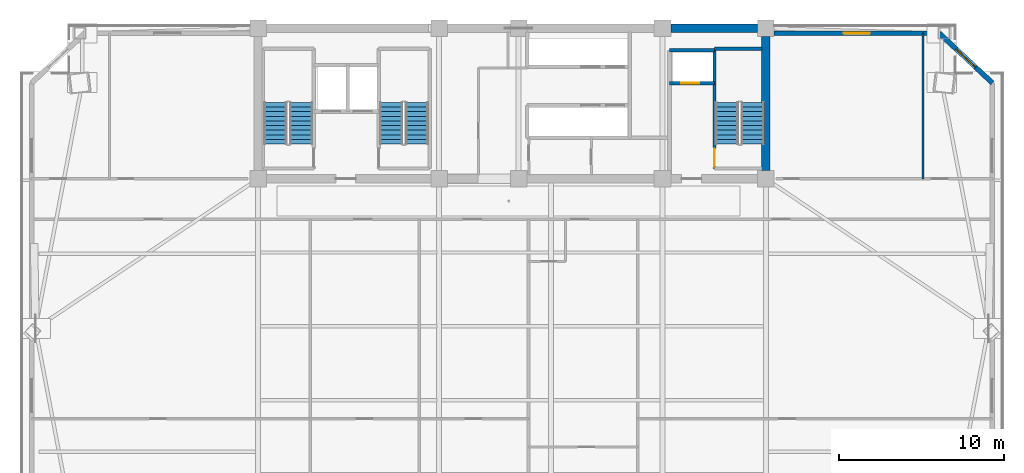
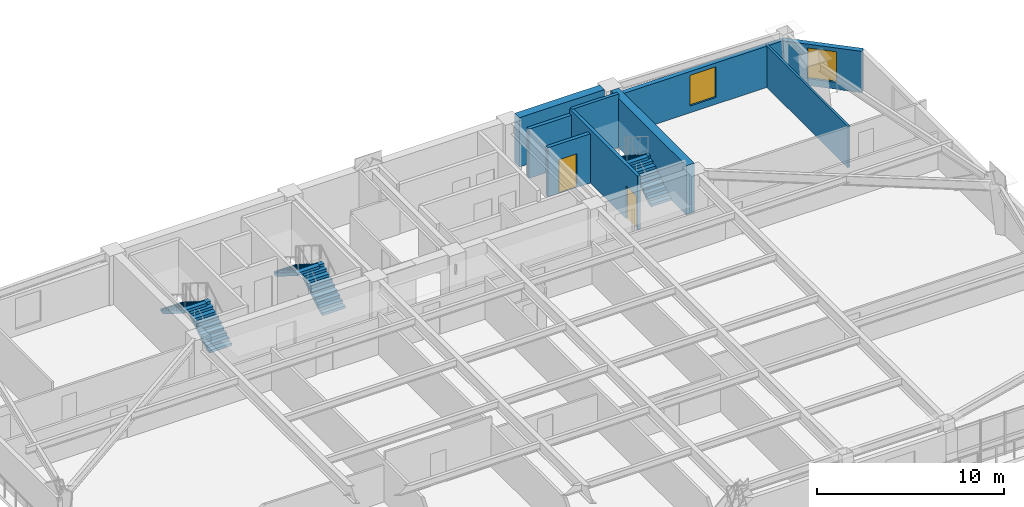
# One storey, part 10 of 15: 9 walls, 6 stair flights, 2 doors, 2 windows, 4 openings, 3 elements without a shape of their own.
"""IFC4 building model written with IfcOpenShell, lengths in metres."""

from ifc_helpers import new_model, si_unit, direction, frame, frame_2d, origin, place, context, subcontext, project, spatial, polyline, rectangle, outline, extrude, source, transform, mapped, material, layer, layer_set, type_object, element, fill, aggregate, save


model = new_model("IFC4")

# Units and contexts
model_context = context("Model", 3, precision=1e-05, world=origin(), true_north=direction((0.0, 1.0)))
body_context = subcontext(model_context, "Body", "Model", "MODEL_VIEW")
ifc_project = project(units=[si_unit("LENGTHUNIT", "METRE"), si_unit("AREAUNIT", "SQUARE_METRE"), si_unit("VOLUMEUNIT", "CUBIC_METRE"), si_unit("PLANEANGLEUNIT", "RADIAN"), si_unit("MASSUNIT", "GRAM", prefix="KILO")], contexts=[model_context])

# Site, building, storey
site_placement = place(None, origin())
site = spatial("IfcSite", under=ifc_project, at=site_placement, CompositionType="ELEMENT")
building_placement = place(site_placement, origin())
building = spatial("IfcBuilding", under=site, at=building_placement, Name="Giltprow Tower", CompositionType="ELEMENT")
storey_placement = place(building_placement, frame((0.0, 0.0, 187.699951171875)))
storey = spatial("IfcBuildingStorey", under=building, at=storey_placement, Name="L47", CompositionType="ELEMENT", Elevation=187.699951171875)

# Wall, opening, window
ifc_material_1 = material(Name="Precast concrete C40", Category="concrete")
ifc_layer_1 = layer(ifc_material_1, 0.300048828125, Name="Precast concrete C40")
ifc_layer_set_1 = layer_set([ifc_layer_1], Name="Precast concrete C40")
wall_type_1 = type_object("IfcWallType", Name="EW-NOTCH-CHAMFER-300", PredefinedType="SOLIDWALL", material=ifc_layer_set_1)
wall_1_placement = place(storey_placement, frame((64.2470703125, 43.239013671875, 0.0), z_axis=(0.0, 0.0, 1.0), x_axis=(-0.729480126226, 0.684002006899, 0.0)))
wall_1 = element("IfcWall", 1, at=wall_1_placement, inside=storey, type_object=wall_type_1, Name="L47 Corner Notch Wall NE", PredefinedType="SOLIDWALL", context=body_context, shape_type="SweptSolid", body=[
    extrude(rectangle(XDim=4.402099609375, YDim=0.300048828125, at=frame_2d((2.201171875, 0.0))), origin(), (0.0, 0.0, 1.0), 2.699951171875),
])
opening_1_placement = place(wall_1_placement, frame((1.40087890625, 0.0, 0.449951171875)))
opening_1 = element("IfcOpeningElement", 2, at=opening_1_placement, cuts=wall_1, Name="Opening WN17", PredefinedType="OPENING", context=body_context, shape_type="SweptSolid", body=[
    extrude(rectangle(XDim=1.60009765625, YDim=2.0, at=frame_2d((0.800048828125, 1.0))), frame((0.0, 0.159912109375, 0.0), z_axis=(0.0, -1.0, 0.0), x_axis=(1.0, 0.0, 0.0)), (0.0, 0.0, 1.0), 0.320068359375),
])
ifc_material_2 = material(Name="Insulated glass", Category="glass")
window_type = type_object("IfcWindowType", Name="WN-COR-1600x2000", PartitioningType="SINGLE_PANEL", PredefinedType="WINDOW", material=ifc_material_2)
shared_shape_1 = source(origin(), body_context, "Body", "SweptSolid", [
    extrude(rectangle(XDim=1.60009765625, YDim=2.0, at=frame_2d((0.800048828125, 1.0))), frame((0.0, 0.030029296875, 0.0), z_axis=(0.0, -1.0, 0.0), x_axis=(1.0, 0.0, 0.0)), (0.0, 0.0, 1.0), 0.06005859375),
])
window_1_placement = place(opening_1_placement, origin())
window_1 = element("IfcWindow", 3, at=window_1_placement, inside=storey, type_object=window_type, Name="L47 Corner Notch Window NE", OverallHeight=2.0, OverallWidth=1.60009765625, PartitioningType="SINGLE_PANEL", PredefinedType="WINDOW", context=body_context, shape_type="MappedRepresentation", body=[
    mapped(shared_shape_1, transform((0.0, 0.0, 0.0), x_axis=(1.0, 0.0, 0.0), y_axis=(0.0, 1.0, 0.0), z_axis=(0.0, 0.0, 1.0), scale=1.0)),
])
fill(opening_1, window_1)

ifc_layer_2 = layer(ifc_material_1, 0.280029296875, Name="Precast concrete C40")
ifc_layer_set_2 = layer_set([ifc_layer_2], Name="Precast concrete C40")
wall_type_2 = type_object("IfcWallType", Name="EW-TOW-BRONZE-280", PredefinedType="SOLIDWALL", material=ifc_layer_set_2)
wall_2_placement = place(storey_placement, frame((51.050048828125, 46.25, 0.0), z_axis=(0.0, 0.0, 1.0), x_axis=(1.0, 0.0, 0.0)))
wall_2 = element("IfcWall", 4, at=wall_2_placement, inside=storey, type_object=wall_type_2, Name="L47 North-East Wing Wall", PredefinedType="SOLIDWALL", context=body_context, shape_type="SweptSolid", body=[
    extrude(rectangle(XDim=9.98583984375, YDim=0.280029296875, at=frame_2d((4.992919921875, 0.0))), origin(), (0.0, 0.0, 1.0), 2.699951171875),
])
opening_2_placement = place(wall_2_placement, frame((4.193115234375, 0.0, 0.449951171875)))
opening_2 = element("IfcOpeningElement", 5, at=opening_2_placement, cuts=wall_2, Name="Opening WN17", PredefinedType="OPENING", context=body_context, shape_type="SweptSolid", body=[
    extrude(rectangle(XDim=1.60009765625, YDim=2.0, at=frame_2d((0.800048828125, 1.0))), frame((0.0, 0.14990234375, 0.0), z_axis=(0.0, -1.0, 0.0), x_axis=(1.0, 0.0, 0.0)), (0.0, 0.0, 1.0), 0.300048828125),
])
window_2_placement = place(opening_2_placement, origin())
window_2 = element("IfcWindow", 6, at=window_2_placement, inside=storey, type_object=window_type, Name="L47 North-East Window", OverallHeight=2.0, OverallWidth=1.60009765625, PartitioningType="SINGLE_PANEL", PredefinedType="WINDOW", context=body_context, shape_type="MappedRepresentation", body=[
    mapped(shared_shape_1, transform((0.0, 0.0, 0.0), x_axis=(1.0, 0.0, 0.0), y_axis=(0.0, 1.0, 0.0), z_axis=(0.0, 0.0, 1.0), scale=1.0)),
])
fill(opening_2, window_2)

# Wall, opening, door
ifc_material_3 = material(Name="Concrete C40", Category="concrete")
ifc_layer_3 = layer(ifc_material_3, 0.219970703125, Name="Concrete C40")
ifc_layer_set_3 = layer_set([ifc_layer_3], Name="Concrete C40")
wall_type_3 = type_object("IfcWallType", Name="IW-SHAFT-220", PredefinedType="SOLIDWALL", material=ifc_layer_set_3)
wall_3_placement = place(storey_placement, frame((44.719970703125, 43.219970703125, 0.0), z_axis=(0.0, 0.0, 1.0), x_axis=(1.0, 0.0, 0.0)))
wall_3 = element("IfcWall", 7, at=wall_3_placement, inside=storey, type_object=wall_type_3, Name="L47 FFL2 Front Shaft Wall", PredefinedType="SOLIDWALL", context=body_context, shape_type="SweptSolid", body=[
    extrude(rectangle(XDim=2.719970703125, YDim=0.219970703125, at=frame_2d((1.35986328125, 0.0))), origin(), (0.0, 0.0, 1.0), 3.219970703125),
])
opening_3_placement = place(wall_3_placement, frame((0.699951171875, 0.0, 0.0)))
opening_3 = element("IfcOpeningElement", 8, at=opening_3_placement, cuts=wall_3, Name="Opening LD-11", PredefinedType="OPENING", context=body_context, shape_type="SweptSolid", body=[
    extrude(rectangle(XDim=1.10009765625, YDim=2.199951171875, at=frame_2d((0.550048828125, 1.10009765625))), frame((0.0, 0.119873046875, 0.0), z_axis=(0.0, -1.0, 0.0), x_axis=(1.0, 0.0, 0.0)), (0.0, 0.0, 1.0), 0.239990234375),
])
ifc_material_4 = material(Name="Stainless steel", Category="steel")
door_type_1 = type_object("IfcDoorType", Name="DR-LIFT-LD1100", OperationType="SLIDING_TO_LEFT", PredefinedType="DOOR", material=ifc_material_4)
shared_shape_2 = source(origin(), body_context, "Body", "SweptSolid", [
    extrude(rectangle(XDim=1.10009765625, YDim=2.199951171875, at=frame_2d((0.550048828125, 1.10009765625))), frame((0.0, 0.02490234375, 0.0), z_axis=(0.0, -1.0, 0.0), x_axis=(1.0, 0.0, 0.0)), (0.0, 0.0, 1.0), 0.050048828125),
])
door_1_placement = place(opening_3_placement, origin())
door_1 = element("IfcDoor", 9, at=door_1_placement, inside=storey, type_object=door_type_1, Name="L47 FFL2 Landing Door", OperationType="SLIDING_TO_LEFT", OverallHeight=2.199951171875, OverallWidth=1.10009765625, PredefinedType="DOOR", context=body_context, shape_type="MappedRepresentation", body=[
    mapped(shared_shape_2, transform((0.0, 0.0, 0.0), x_axis=(1.0, 0.0, 0.0), y_axis=(0.0, 1.0, 0.0), z_axis=(0.0, 0.0, 1.0), scale=1.0)),
])
fill(opening_3, door_1)

# Wall
wall_4_placement = place(storey_placement, frame((44.719970703125, 45.219970703125, 0.0), z_axis=(0.0, 0.0, 1.0), x_axis=(1.0, 0.0, 0.0)))
element("IfcWall", 10, at=wall_4_placement, inside=storey, type_object=wall_type_3, Name="L47 FFL2 Back Shaft Wall", PredefinedType="SOLIDWALL", context=body_context, shape_type="SweptSolid", body=[
    extrude(rectangle(XDim=2.719970703125, YDim=0.219970703125, at=frame_2d((1.35986328125, 0.0))), origin(), (0.0, 0.0, 1.0), 3.219970703125),
])

# Wall, opening, door
ifc_layer_4 = layer(ifc_material_3, 0.199951171875, Name="Concrete C40")
ifc_layer_set_4 = layer_set([ifc_layer_4], Name="Concrete C40")
wall_type_4 = type_object("IfcWallType", Name="IW-STAIR-200", PredefinedType="SOLIDWALL", material=ifc_layer_set_4)
wall_5_placement = place(storey_placement, frame((47.43994140625, 38.070068359375, 0.0), z_axis=(0.0, 0.0, 1.0), x_axis=(0.0, 1.0, 0.0)))
wall_5 = element("IfcWall", 11, at=wall_5_placement, inside=storey, type_object=wall_type_4, Name="L47 Stair ST-3 West Bearing Wall", PredefinedType="SOLIDWALL", context=body_context, shape_type="SweptSolid", body=[
    extrude(rectangle(XDim=7.25, YDim=0.199951171875, at=frame_2d((3.625, 0.0))), origin(), (0.0, 0.0, 1.0), 3.5),
])
opening_4_placement = place(wall_5_placement, frame((0.110107421875, 0.0, 0.0)))
opening_4 = element("IfcOpeningElement", 12, at=opening_4_placement, cuts=wall_5, Name="Opening ID33", PredefinedType="OPENING", context=body_context, shape_type="SweptSolid", body=[
    extrude(rectangle(XDim=1.10009765625, YDim=2.14990234375, at=frame_2d((0.550048828125, 1.074951171875))), frame((0.0, 0.10986328125, 0.0), z_axis=(0.0, -1.0, 0.0), x_axis=(1.0, 0.0, 0.0)), (0.0, 0.0, 1.0), 0.219970703125),
])
ifc_material_5 = material(Name="Steel fire leaf", Category="steel")
door_type_2 = type_object("IfcDoorType", Name="DR-STAIR-1100", OperationType="SINGLE_SWING_LEFT", PredefinedType="DOOR", material=ifc_material_5)
shared_shape_3 = source(origin(), body_context, "Body", "SweptSolid", [
    extrude(rectangle(XDim=1.10009765625, YDim=2.14990234375, at=frame_2d((0.550048828125, 1.074951171875))), frame((0.0, 0.02490234375, 0.0), z_axis=(0.0, -1.0, 0.0), x_axis=(1.0, 0.0, 0.0)), (0.0, 0.0, 1.0), 0.050048828125),
])
door_2_placement = place(opening_4_placement, origin())
door_2 = element("IfcDoor", 13, at=door_2_placement, inside=storey, type_object=door_type_2, Name="L47 Stair ST-3 Fire Door", OperationType="SINGLE_SWING_RIGHT", OverallHeight=2.14990234375, OverallWidth=1.10009765625, PredefinedType="DOOR", context=body_context, shape_type="MappedRepresentation", body=[
    mapped(shared_shape_3, transform((0.0, 0.0, 0.0), x_axis=(1.0, 0.0, 0.0), y_axis=(0.0, 1.0, 0.0), z_axis=(0.0, 0.0, 1.0), scale=1.0)),
])
fill(opening_4, door_2)

# Walls
wall_6_placement = place(storey_placement, frame((47.43994140625, 45.320068359375, 0.0), z_axis=(0.0, 0.0, 1.0), x_axis=(1.0, 0.0, 0.0)))
element("IfcWall", 14, at=wall_6_placement, inside=storey, type_object=wall_type_4, Name="L47 Stair ST-3 North Bearing Wall", PredefinedType="SOLIDWALL", context=body_context, shape_type="SweptSolid", body=[
    extrude(rectangle(XDim=2.880126953125, YDim=0.199951171875, at=frame_2d((1.43994140625, 0.0))), origin(), (0.0, 0.0, 1.0), 3.5),
])
ifc_material_6 = material(Name="Concrete C30", Category="concrete")
ifc_layer_5 = layer(ifc_material_6, 0.1298828125, Name="Concrete C30")
ifc_layer_set_5 = layer_set([ifc_layer_5], Name="Concrete C30")
wall_type_5 = type_object("IfcWallType", Name="IW-WET-130", PredefinedType="PARTITIONING", material=ifc_layer_set_5)
wall_7_placement = place(storey_placement, frame((60.04296875, 37.449951171875, 0.0), z_axis=(0.0, 0.0, 1.0), x_axis=(0.0, 1.0, 0.0)))
element("IfcWall", 15, at=wall_7_placement, inside=storey, type_object=wall_type_5, Name="L47 NE Wing Divider", PredefinedType="PARTITIONING", context=body_context, shape_type="SweptSolid", body=[
    extrude(rectangle(XDim=8.800048828125, YDim=0.1298828125, at=frame_2d((4.39990234375, 0.0))), origin(), (0.0, 0.0, 1.0), 2.705078125),
])
ifc_material_7 = material(Name="Concrete C50", Category="concrete")
ifc_layer_6 = layer(ifc_material_7, 0.5, Name="Concrete C50")
ifc_layer_set_6 = layer_set([ifc_layer_6], Name="Concrete C50")
wall_type_6 = type_object("IfcWallType", Name="SW-EXT-500-C50", PredefinedType="SHEAR", material=ifc_layer_set_6)
wall_8_placement = place(storey_placement, frame((44.800048828125, 46.550048828125, 0.0), z_axis=(0.0, 0.0, 1.0), x_axis=(1.0, 0.0, 0.0)))
element("IfcWall", 16, at=wall_8_placement, inside=storey, type_object=wall_type_6, Name="L47 North Rear Core Shear Wall 4", PredefinedType="SHEAR", context=body_context, shape_type="SweptSolid", body=[
    extrude(rectangle(XDim=5.25, YDim=0.5, at=frame_2d((2.625, 0.0))), origin(), (0.0, 0.0, 1.0), 3.219970703125),
])
ifc_layer_7 = layer(ifc_material_7, 0.5, Name="Concrete C50")
ifc_layer_set_7 = layer_set([ifc_layer_7], Name="Concrete C50")
wall_type_7 = type_object("IfcWallType", Name="SW-INT-500-C50", PredefinedType="SHEAR", material=ifc_layer_set_7)
wall_9_placement = place(storey_placement, frame((50.550048828125, 37.949951171875, 0.0), z_axis=(0.0, 0.0, 1.0), x_axis=(0.0, 1.0, 0.0)))
element("IfcWall", 17, at=wall_9_placement, inside=storey, type_object=wall_type_7, Name="L47 E Rear Core Shear Wall", PredefinedType="SHEAR", context=body_context, shape_type="SweptSolid", body=[
    extrude(rectangle(XDim=8.10009765625, YDim=0.5, at=frame_2d((4.050048828125, 0.0))), origin(), (0.0, 0.0, 1.0), 3.219970703125),
])

# Stair, stair flights
stair_type_1 = type_object("IfcStairType", Name="STR-ST-1", PredefinedType="HALF_TURN_STAIR", material=ifc_material_3)
stair_1_placement = place(storey_placement, origin())
stair_1 = element("IfcStair", 18, at=stair_1_placement, inside=storey, type_object=stair_type_1, Name="L47 Core Exit Stair ST-1", PredefinedType="HALF_TURN_STAIR")
stair_flight_type_1 = type_object("IfcStairFlightType", Name="SFL-ST-1", PredefinedType="STRAIGHT", material=ifc_material_3)
stair_flight_1_placement = place(storey_placement, frame((22.4599609375, 39.550048828125, 0.0), z_axis=(0.0, 0.0, 1.0), x_axis=(0.0, 1.0, 0.0)))
stair_flight_1 = element("IfcStairFlight", 19, at=stair_flight_1_placement, type_object=stair_flight_type_1, Name="ST-1 flight 1", NumberOfRisers=10, NumberOfTreads=9, PredefinedType="STRAIGHT", RiserHeight=0.175, TreadLength=0.28, context=body_context, shape_type="SweptSolid", body=[
    extrude(outline(polyline([(0.0, 0.0), (0.0, 0.175048828125), (0.280029296875, 0.175048828125), (0.280029296875, 0.35009765625), (0.56005859375, 0.35009765625), (0.56005859375, 0.52490234375), (0.840087890625, 0.52490234375), (0.840087890625, 0.699951171875), (1.1201171875, 0.699951171875), (1.1201171875, 0.875), (1.39990234375, 0.875), (1.39990234375, 1.050048828125), (1.679931640625, 1.050048828125), (1.679931640625, 1.22509765625), (1.9599609375, 1.22509765625), (1.9599609375, 1.39990234375), (2.239990234375, 1.39990234375), (2.239990234375, 1.574951171875), (2.52001953125, 1.574951171875), (2.52001953125, 1.75), (2.52001953125, 1.398193359375), (0.28271484375, 0.0), (0.0, 0.0)])), frame((0.0, 0.699951171875, 0.0), z_axis=(0.0, -1.0, 0.0), x_axis=(1.0, 0.0, 0.0)), (0.0, 0.0, 1.0), 1.39990234375),
])
stair_flight_2_placement = place(storey_placement, frame((20.89990234375, 42.070068359375, 1.75), z_axis=(0.0, 0.0, 1.0), x_axis=(0.0, -1.0, 0.0)))
stair_flight_2 = element("IfcStairFlight", 20, at=stair_flight_2_placement, type_object=stair_flight_type_1, Name="ST-1 flight 2", NumberOfRisers=10, NumberOfTreads=9, PredefinedType="STRAIGHT", RiserHeight=0.175, TreadLength=0.28, context=body_context, shape_type="SweptSolid", body=[
    extrude(outline(polyline([(0.0, 0.0), (0.0, 0.175048828125), (0.280029296875, 0.175048828125), (0.280029296875, 0.35009765625), (0.56005859375, 0.35009765625), (0.56005859375, 0.52490234375), (0.840087890625, 0.52490234375), (0.840087890625, 0.699951171875), (1.1201171875, 0.699951171875), (1.1201171875, 0.875), (1.39990234375, 0.875), (1.39990234375, 1.050048828125), (1.679931640625, 1.050048828125), (1.679931640625, 1.22509765625), (1.9599609375, 1.22509765625), (1.9599609375, 1.39990234375), (2.239990234375, 1.39990234375), (2.239990234375, 1.574951171875), (2.52001953125, 1.574951171875), (2.52001953125, 1.75), (2.52001953125, 1.398193359375), (0.28271484375, 0.0), (0.0, 0.0)])), frame((0.0, 0.699951171875, 0.0), z_axis=(0.0, -1.0, 0.0), x_axis=(1.0, 0.0, 0.0)), (0.0, 0.0, 1.0), 1.39990234375),
])
aggregate(stair_1, [stair_flight_1, stair_flight_2])

stair_type_2 = type_object("IfcStairType", Name="STR-ST-2", PredefinedType="HALF_TURN_STAIR", material=ifc_material_3)
stair_2_placement = place(storey_placement, origin())
stair_2 = element("IfcStair", 21, at=stair_2_placement, inside=storey, type_object=stair_type_2, Name="L47 Core Exit Stair ST-2", PredefinedType="HALF_TURN_STAIR")
stair_flight_type_2 = type_object("IfcStairFlightType", Name="SFL-ST-2", PredefinedType="STRAIGHT", material=ifc_material_3)
stair_flight_3_placement = place(storey_placement, frame((29.4599609375, 39.550048828125, 0.0), z_axis=(0.0, 0.0, 1.0), x_axis=(0.0, 1.0, 0.0)))
stair_flight_3 = element("IfcStairFlight", 22, at=stair_flight_3_placement, type_object=stair_flight_type_2, Name="ST-2 flight 1", NumberOfRisers=10, NumberOfTreads=9, PredefinedType="STRAIGHT", RiserHeight=0.175, TreadLength=0.28, context=body_context, shape_type="SweptSolid", body=[
    extrude(outline(polyline([(0.0, 0.0), (0.0, 0.175048828125), (0.280029296875, 0.175048828125), (0.280029296875, 0.35009765625), (0.56005859375, 0.35009765625), (0.56005859375, 0.52490234375), (0.840087890625, 0.52490234375), (0.840087890625, 0.699951171875), (1.1201171875, 0.699951171875), (1.1201171875, 0.875), (1.39990234375, 0.875), (1.39990234375, 1.050048828125), (1.679931640625, 1.050048828125), (1.679931640625, 1.22509765625), (1.9599609375, 1.22509765625), (1.9599609375, 1.39990234375), (2.239990234375, 1.39990234375), (2.239990234375, 1.574951171875), (2.52001953125, 1.574951171875), (2.52001953125, 1.75), (2.52001953125, 1.398193359375), (0.28271484375, 0.0), (0.0, 0.0)])), frame((0.0, 0.699951171875, 0.0), z_axis=(0.0, -1.0, 0.0), x_axis=(1.0, 0.0, 0.0)), (0.0, 0.0, 1.0), 1.39990234375),
])
stair_flight_4_placement = place(storey_placement, frame((27.89990234375, 42.070068359375, 1.75), z_axis=(0.0, 0.0, 1.0), x_axis=(0.0, -1.0, 0.0)))
stair_flight_4 = element("IfcStairFlight", 23, at=stair_flight_4_placement, type_object=stair_flight_type_2, Name="ST-2 flight 2", NumberOfRisers=10, NumberOfTreads=9, PredefinedType="STRAIGHT", RiserHeight=0.175, TreadLength=0.28, context=body_context, shape_type="SweptSolid", body=[
    extrude(outline(polyline([(0.0, 0.0), (0.0, 0.175048828125), (0.280029296875, 0.175048828125), (0.280029296875, 0.35009765625), (0.56005859375, 0.35009765625), (0.56005859375, 0.52490234375), (0.840087890625, 0.52490234375), (0.840087890625, 0.699951171875), (1.1201171875, 0.699951171875), (1.1201171875, 0.875), (1.39990234375, 0.875), (1.39990234375, 1.050048828125), (1.679931640625, 1.050048828125), (1.679931640625, 1.22509765625), (1.9599609375, 1.22509765625), (1.9599609375, 1.39990234375), (2.239990234375, 1.39990234375), (2.239990234375, 1.574951171875), (2.52001953125, 1.574951171875), (2.52001953125, 1.75), (2.52001953125, 1.398193359375), (0.28271484375, 0.0), (0.0, 0.0)])), frame((0.0, 0.699951171875, 0.0), z_axis=(0.0, -1.0, 0.0), x_axis=(1.0, 0.0, 0.0)), (0.0, 0.0, 1.0), 1.39990234375),
])
aggregate(stair_2, [stair_flight_3, stair_flight_4])

stair_type_3 = type_object("IfcStairType", Name="STR-ST-3", PredefinedType="HALF_TURN_STAIR", material=ifc_material_3)
stair_3_placement = place(storey_placement, origin())
stair_3 = element("IfcStair", 24, at=stair_3_placement, inside=storey, type_object=stair_type_3, Name="L47 Core Exit Stair ST-3", PredefinedType="HALF_TURN_STAIR")
stair_flight_type_3 = type_object("IfcStairFlightType", Name="SFL-ST-3", PredefinedType="STRAIGHT", material=ifc_material_3)
stair_flight_5_placement = place(storey_placement, frame((49.760009765625, 39.550048828125, 0.0), z_axis=(0.0, 0.0, 1.0), x_axis=(0.0, 1.0, 0.0)))
stair_flight_5 = element("IfcStairFlight", 25, at=stair_flight_5_placement, type_object=stair_flight_type_3, Name="ST-3 flight 1", NumberOfRisers=10, NumberOfTreads=9, PredefinedType="STRAIGHT", RiserHeight=0.175, TreadLength=0.28, context=body_context, shape_type="SweptSolid", body=[
    extrude(outline(polyline([(0.0, 0.0), (0.0, 0.175048828125), (0.280029296875, 0.175048828125), (0.280029296875, 0.35009765625), (0.56005859375, 0.35009765625), (0.56005859375, 0.52490234375), (0.840087890625, 0.52490234375), (0.840087890625, 0.699951171875), (1.1201171875, 0.699951171875), (1.1201171875, 0.875), (1.39990234375, 0.875), (1.39990234375, 1.050048828125), (1.679931640625, 1.050048828125), (1.679931640625, 1.22509765625), (1.9599609375, 1.22509765625), (1.9599609375, 1.39990234375), (2.239990234375, 1.39990234375), (2.239990234375, 1.574951171875), (2.52001953125, 1.574951171875), (2.52001953125, 1.75), (2.52001953125, 1.398193359375), (0.28271484375, 0.0), (0.0, 0.0)])), frame((0.0, 0.699951171875, 0.0), z_axis=(0.0, -1.0, 0.0), x_axis=(1.0, 0.0, 0.0)), (0.0, 0.0, 1.0), 1.39990234375),
])
stair_flight_6_placement = place(storey_placement, frame((48.199951171875, 42.070068359375, 1.75), z_axis=(0.0, 0.0, 1.0), x_axis=(0.0, -1.0, 0.0)))
stair_flight_6 = element("IfcStairFlight", 26, at=stair_flight_6_placement, type_object=stair_flight_type_3, Name="ST-3 flight 2", NumberOfRisers=10, NumberOfTreads=9, PredefinedType="STRAIGHT", RiserHeight=0.175, TreadLength=0.28, context=body_context, shape_type="SweptSolid", body=[
    extrude(outline(polyline([(0.0, 0.0), (0.0, 0.175048828125), (0.280029296875, 0.175048828125), (0.280029296875, 0.35009765625), (0.56005859375, 0.35009765625), (0.56005859375, 0.52490234375), (0.840087890625, 0.52490234375), (0.840087890625, 0.699951171875), (1.1201171875, 0.699951171875), (1.1201171875, 0.875), (1.39990234375, 0.875), (1.39990234375, 1.050048828125), (1.679931640625, 1.050048828125), (1.679931640625, 1.22509765625), (1.9599609375, 1.22509765625), (1.9599609375, 1.39990234375), (2.239990234375, 1.39990234375), (2.239990234375, 1.574951171875), (2.52001953125, 1.574951171875), (2.52001953125, 1.75), (2.52001953125, 1.398193359375), (0.28271484375, 0.0), (0.0, 0.0)])), frame((0.0, 0.699951171875, 0.0), z_axis=(0.0, -1.0, 0.0), x_axis=(1.0, 0.0, 0.0)), (0.0, 0.0, 1.0), 1.39990234375),
])
aggregate(stair_3, [stair_flight_5, stair_flight_6])

save(model, "model.ifc")
